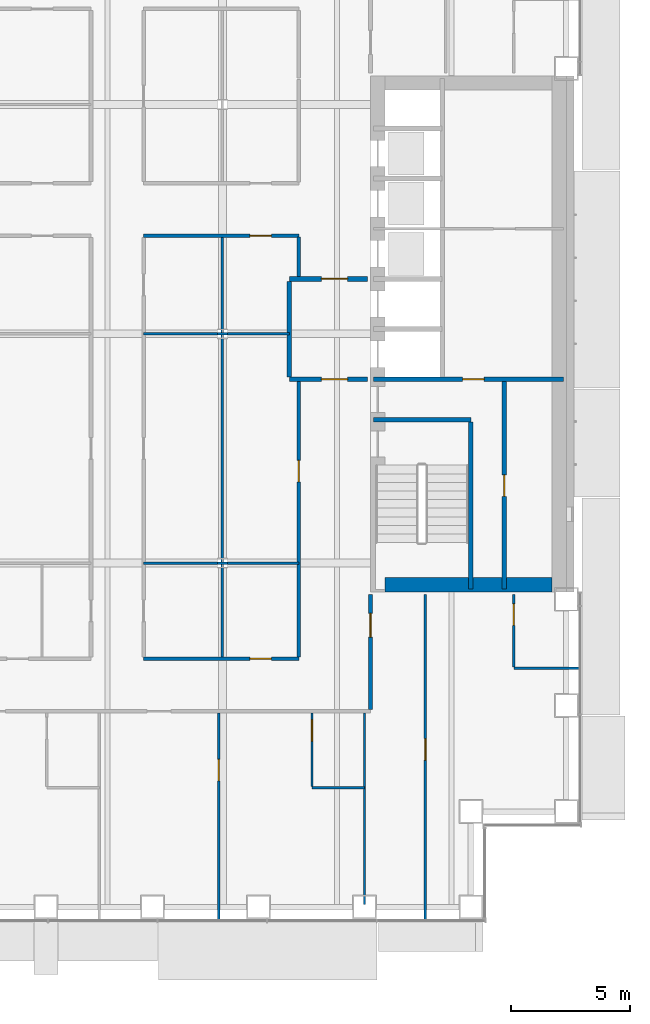
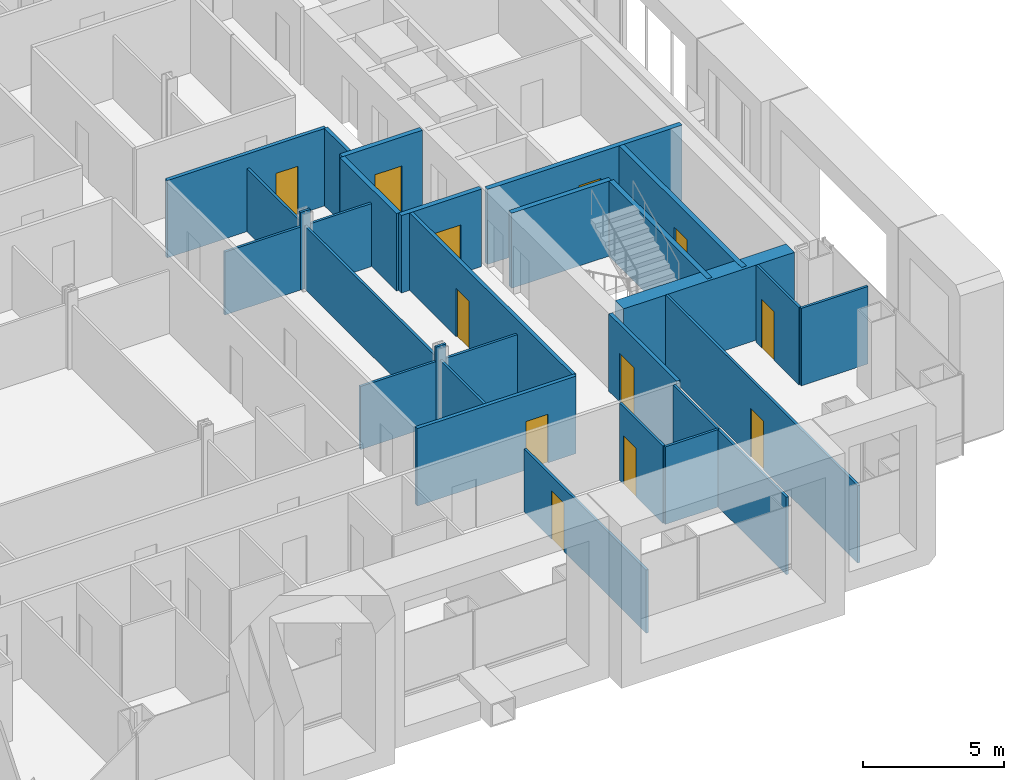
# One storey, part 16 of 25: 29 walls, 12 doors, 12 openings.
"""IFC4 building model written with IfcOpenShell, lengths in metres."""

import ifcopenshell
import ifcopenshell.guid

model = None  # the IFC model being written
_history = None  # IfcOwnerHistory: only IFC2X3 demands one
_inside = {}  # id of a spatial element -> (the spatial element, [elements in it])
_under = {}  # id of a project, library or spatial element -> (it, [spatial elements below it])
_declared = {}  # id of a project -> (the project, [libraries it declares])
_typed = {}  # id of a type object -> (the type object, [elements of that type])
_made_of = {}  # id of a material, layer set ... -> (it, [elements and type objects made of it])


def new_model(schema):
    """Start an empty IFC model of exactly this schema.

    Asked for "IFC4X3", IfcOpenShell would pick the latest addendum, in which some entities
    have other attributes; the version numbers below select the first issue.
    IFC2X3 requires an IfcOwnerHistory on every rooted entity: one is made here for all.
    """
    global model, _history
    if schema == "IFC4X3":
        model = ifcopenshell.file(schema_version=(4, 3, 0, 0))
    else:
        model = ifcopenshell.file(schema=schema)
    _inside.clear()
    _under.clear()
    _declared.clear()
    _typed.clear()
    _made_of.clear()
    _history = None
    if model.schema == "IFC2X3":
        org = make("IfcOrganization", Name="unknown")
        user = make(
            "IfcPersonAndOrganization",
            ThePerson=make("IfcPerson", FamilyName="unknown"),
            TheOrganization=org,
        )
        app = make(
            "IfcApplication",
            ApplicationDeveloper=org,
            Version="unknown",
            ApplicationFullName="unknown",
            ApplicationIdentifier="unknown",
        )
        _history = make(
            "IfcOwnerHistory",
            OwningUser=user,
            OwningApplication=app,
            ChangeAction="ADDED",
            CreationDate=0,
        )
    return model


def make(cls, **values):
    """One entity of the class cls with the attributes given. An attribute that is None is left unset."""
    return model.create_entity(
        cls, **{name: value for name, value in values.items() if value is not None}
    )


def rooted(cls, **values):
    """An entity with a GlobalId (a new one), such as an element, a storey or a relation."""
    return make(cls, GlobalId=ifcopenshell.guid.new(), OwnerHistory=_history, **values)


def si_unit(unit_type, name, prefix=None):
    """IfcSIUnit, for example si_unit("LENGTHUNIT", "METRE", prefix="MILLI")."""
    return make("IfcSIUnit", UnitType=unit_type, Prefix=prefix, Name=name)


def assignment(units):
    """IfcUnitAssignment: the units of a project."""
    return None if units is None else make("IfcUnitAssignment", Units=units)


def point(xyz):
    """IfcCartesianPoint."""
    return None if xyz is None else make("IfcCartesianPoint", Coordinates=xyz)


def direction(xyz):
    """IfcDirection."""
    return None if xyz is None else make("IfcDirection", DirectionRatios=xyz)


def frame(location, z_axis=None, x_axis=None):
    """IfcAxis2Placement3D, a coordinate frame: its origin and axes. An axis left out is left unset."""
    return make(
        "IfcAxis2Placement3D",
        Location=point(location),
        Axis=direction(z_axis),
        RefDirection=direction(x_axis),
    )


def frame_2d(location, x_axis=None):
    """IfcAxis2Placement2D, a coordinate frame in the plane: its origin and x axis."""
    return make(
        "IfcAxis2Placement2D", Location=point(location), RefDirection=direction(x_axis)
    )


def origin():
    """The frame at (0, 0, 0) with its axes left unset."""
    return frame((0.0, 0.0, 0.0))


def place(relative_to, where):
    """IfcLocalPlacement: puts the frame where relative to a parent placement (None: the world)."""
    return make(
        "IfcLocalPlacement", PlacementRelTo=relative_to, RelativePlacement=where
    )


def context(
    kind, dimensions, precision=None, world=None, true_north=None, identifier=None
):
    """IfcGeometricRepresentationContext, for example the 3D "Model" context."""
    return make(
        "IfcGeometricRepresentationContext",
        ContextIdentifier=identifier,
        ContextType=kind,
        CoordinateSpaceDimension=dimensions,
        Precision=precision,
        WorldCoordinateSystem=world,
        TrueNorth=true_north,
    )


def subcontext(parent, identifier, kind, view, scale=None):
    """IfcGeometricRepresentationSubContext, for example "Body" below "Model"."""
    return make(
        "IfcGeometricRepresentationSubContext",
        ContextIdentifier=identifier,
        ContextType=kind,
        ParentContext=parent,
        TargetScale=scale,
        TargetView=view,
    )


def project(units=None, contexts=None):
    """IfcProject with its units and contexts."""
    return rooted(
        "IfcProject",
        Name="project",
        RepresentationContexts=contexts,
        UnitsInContext=assignment(units),
    )


def spatial(cls, under=None, at=None, **own):
    """A site, building, storey or space (cls), placed at a placement, below another one or the project."""
    s = rooted(cls, ObjectPlacement=at, **own)
    if under is not None:
        _under.setdefault(under.id(), (under, []))[1].append(s)
    return s


def profile(cls, at=None, kind="AREA", **sizes):
    """A parametric profile (cls). Its sizes go by their IFC names, for example OverallWidth=200.0."""
    return make(cls, ProfileType=kind, Position=at, **sizes)


def rectangle(**sizes):
    """IfcRectangleProfileDef."""
    return profile("IfcRectangleProfileDef", **sizes)


def extrude(swept, where, along, depth):
    """IfcExtrudedAreaSolid: the profile swept, set in the frame where, extruded along a direction by depth."""
    return make(
        "IfcExtrudedAreaSolid",
        SweptArea=swept,
        Position=where,
        ExtrudedDirection=direction(along),
        Depth=depth,
    )


def shape(context_of_items, identifier, shape_type, items):
    """IfcShapeRepresentation: the items that make up one representation, for example the "Body"."""
    return make(
        "IfcShapeRepresentation",
        ContextOfItems=context_of_items,
        RepresentationIdentifier=identifier,
        RepresentationType=shape_type,
        Items=items,
    )


def material(Name=None, Category=None):
    """IfcMaterial."""
    return make("IfcMaterial", Name=Name, Category=Category)


def layer(
    of_material, thickness, ventilated=None, Name=None, Category=None, Priority=None
):
    """IfcMaterialLayer: one layer of a wall or slab, of a material (None: an air gap)."""
    return make(
        "IfcMaterialLayer",
        Material=of_material,
        LayerThickness=thickness,
        IsVentilated=ventilated,
        Name=Name,
        Category=Category,
        Priority=Priority,
    )


def layer_set(layers, Name=None):
    """IfcMaterialLayerSet."""
    return make("IfcMaterialLayerSet", MaterialLayers=layers, LayerSetName=Name)


def made_of(thing, what):
    """Note that an element or type object is made of a material, layer set ...; save() writes the relation."""
    if what is not None:
        _made_of.setdefault(what.id(), (what, []))[1].append(thing)
    return thing


def type_object(cls, material=None, **own):
    """A type object (cls), such as IfcWallType, which elements share."""
    return made_of(rooted(cls, **own), material)


def element(
    cls,
    number,
    at=None,
    inside=None,
    cuts=None,
    type_object=None,
    material=None,
    context=None,
    identifier="Body",
    shape_type=None,
    held_by="IfcProductDefinitionShape",
    body=None,
    shapes=None,
    **own,
):
    """One element of the class cls, such as IfcWall. Its Tag is "e" and its number.

    at: its placement. inside: the storey or other place that contains it. cuts: it is an
    opening in that element (IfcRelVoidsElement). A single representation is given by context,
    identifier, shape_type and body (its items); several are given by shapes. held_by: the class
    of the entity that holds the representations. save() writes the other relations.
    """
    e = rooted(cls, Tag="e%d" % number, ObjectPlacement=at, **own)
    if body is not None:
        shapes = [shape(context, identifier, shape_type, body)]
    if shapes is not None:
        e.Representation = make(held_by, Representations=shapes)
    if inside is not None:
        _inside.setdefault(inside.id(), (inside, []))[1].append(e)
    if cuts is not None:
        rooted(
            "IfcRelVoidsElement", RelatingBuildingElement=cuts, RelatedOpeningElement=e
        )
    if type_object is not None:
        _typed.setdefault(type_object.id(), (type_object, []))[1].append(e)
    return made_of(e, material)


def fill(opening, filler):
    """IfcRelFillsElement: the door or window that sits in an opening."""
    return rooted(
        "IfcRelFillsElement",
        RelatingOpeningElement=opening,
        RelatedBuildingElement=filler,
    )


def aggregate(whole, parts):
    """IfcRelAggregates: a whole, such as a stair, and the parts it consists of."""
    return rooted("IfcRelAggregates", RelatingObject=whole, RelatedObjects=parts)


def save(model, path):
    """Write the relations noted so far, then the file.

    IfcRelAggregates (storeys below a building ...), IfcRelContainedInSpatialStructure (elements
    in a storey), IfcRelDefinesByType, IfcRelAssociatesMaterial and IfcRelDeclares: one each for
    every whole, place, type object, material and project.
    """
    for whole, parts in _under.values():
        aggregate(whole, parts)
    for where, things in _inside.values():
        rooted(
            "IfcRelContainedInSpatialStructure",
            RelatedElements=things,
            RelatingStructure=where,
        )
    for kind, things in _typed.values():
        rooted("IfcRelDefinesByType", RelatedObjects=things, RelatingType=kind)
    for what, things in _made_of.values():
        rooted("IfcRelAssociatesMaterial", RelatedObjects=things, RelatingMaterial=what)
    for by, libraries in _declared.values():
        rooted("IfcRelDeclares", RelatingContext=by, RelatedDefinitions=libraries)
    model.write(path)


model = new_model("IFC4")

# Units and contexts
model_context = context("Model", 3, precision=1e-05, world=origin(), true_north=direction((0.0, 1.0)))
body_context = subcontext(model_context, "Body", "Model", "MODEL_VIEW")
ifc_project = project(units=[si_unit("LENGTHUNIT", "METRE"), si_unit("AREAUNIT", "SQUARE_METRE"), si_unit("VOLUMEUNIT", "CUBIC_METRE"), si_unit("PLANEANGLEUNIT", "RADIAN"), si_unit("MASSUNIT", "GRAM", prefix="KILO")], contexts=[model_context])

# Site, building, storey
site_placement = place(None, origin())
site = spatial("IfcSite", under=ifc_project, at=site_placement, CompositionType="ELEMENT")
building_placement = place(site_placement, origin())
building = spatial("IfcBuilding", under=site, at=building_placement, Name="Cobrizo Arcos Hotel Tower", CompositionType="ELEMENT")
storey_placement = place(building_placement, frame((0.0, 0.0, 53.0)))
storey = spatial("IfcBuildingStorey", under=building, at=storey_placement, Name="L11", CompositionType="ELEMENT", Elevation=53.0)

# Wall, opening, door
ifc_material_1 = material(Name="Gypsum board partition")
ifc_layer_1 = layer(ifc_material_1, 0.14990234375)
ifc_layer_set_1 = layer_set([ifc_layer_1], Name="Corridor wall EI 60 150")
wall_type_1 = type_object("IfcWallType", Name="Corridor wall EI 60 150", PredefinedType="PARTITIONING", material=ifc_layer_set_1)
wall_1_placement = place(storey_placement, frame((6.300048828125, -13.60009765625, 0.0), z_axis=(0.0, 0.0, 1.0), x_axis=(1.0, 0.0, 0.0)))
wall_1 = element("IfcWall", 1, at=wall_1_placement, inside=storey, type_object=wall_type_1, Name="Partition 010", PredefinedType="PARTITIONING", context=body_context, shape_type="SweptSolid", body=[
    extrude(rectangle(XDim=6.5, YDim=0.14990234375, at=frame_2d((3.25, 0.0))), origin(), (0.0, 0.0, 1.0), 3.35009765625),
])
opening_1_placement = place(wall_1_placement, frame((4.449951171875, 0.0, 0.0)))
opening_1 = element("IfcOpeningElement", 2, at=opening_1_placement, cuts=wall_1, Name="Opening RD-15", PredefinedType="OPENING", context=body_context, shape_type="SweptSolid", body=[
    extrude(rectangle(XDim=0.89990234375, YDim=2.10009765625, at=frame_2d((0.449951171875, 1.050048828125))), frame((0.0, 0.0869140625, 0.0), z_axis=(0.0, -1.0, 0.0), x_axis=(1.0, 0.0, 0.0)), (0.0, 0.0, 1.0), 0.173828125),
])
ifc_material_2 = material(Name="Timber door leaf", Category="wood")
door_type_1 = type_object("IfcDoorType", Name="Room door FD30 900x2100", OperationType="SINGLE_SWING_LEFT", PredefinedType="DOOR", material=ifc_material_2)
door_1_placement = place(opening_1_placement, origin())
door_1 = element("IfcDoor", 3, at=door_1_placement, inside=storey, type_object=door_type_1, Name="Door RD-15", OperationType="SINGLE_SWING_RIGHT", OverallHeight=2.10009765625, OverallWidth=0.89990234375, PredefinedType="DOOR", context=body_context, shape_type="SweptSolid", body=[
    extrude(rectangle(XDim=0.89990234375, YDim=2.10009765625, at=frame_2d((0.449951171875, 1.050048828125))), frame((0.0, 0.02490234375, 0.0), z_axis=(0.0, -1.0, 0.0), x_axis=(1.0, 0.0, 0.0)), (0.0, 0.0, 1.0), 0.050048828125),
])
fill(opening_1, door_1)

wall_2_placement = place(storey_placement, frame((6.300048828125, 4.10009765625, 0.0), z_axis=(0.0, 0.0, 1.0), x_axis=(1.0, 0.0, 0.0)))
wall_2 = element("IfcWall", 4, at=wall_2_placement, inside=storey, type_object=wall_type_1, Name="Partition 040", PredefinedType="PARTITIONING", context=body_context, shape_type="SweptSolid", body=[
    extrude(rectangle(XDim=6.5, YDim=0.14990234375, at=frame_2d((3.25, 0.0))), origin(), (0.0, 0.0, 1.0), 3.35009765625),
])
opening_2_placement = place(wall_2_placement, frame((4.449951171875, 0.0, 0.0)))
opening_2 = element("IfcOpeningElement", 5, at=opening_2_placement, cuts=wall_2, Name="Opening RD-14", PredefinedType="OPENING", context=body_context, shape_type="SweptSolid", body=[
    extrude(rectangle(XDim=0.89990234375, YDim=2.10009765625, at=frame_2d((0.449951171875, 1.050048828125))), frame((0.0, 0.0869140625, 0.0), z_axis=(0.0, -1.0, 0.0), x_axis=(1.0, 0.0, 0.0)), (0.0, 0.0, 1.0), 0.173828125),
])
door_2_placement = place(opening_2_placement, origin())
door_2 = element("IfcDoor", 6, at=door_2_placement, inside=storey, type_object=door_type_1, Name="Door RD-14", OperationType="SINGLE_SWING_RIGHT", OverallHeight=2.10009765625, OverallWidth=0.89990234375, PredefinedType="DOOR", context=body_context, shape_type="SweptSolid", body=[
    extrude(rectangle(XDim=0.89990234375, YDim=2.10009765625, at=frame_2d((0.449951171875, 1.050048828125))), frame((0.0, 0.02490234375, 0.0), z_axis=(0.0, -1.0, 0.0), x_axis=(1.0, 0.0, 0.0)), (0.0, 0.0, 1.0), 0.050048828125),
])
fill(opening_2, door_2)

wall_3_placement = place(storey_placement, frame((12.800048828125, -13.52490234375, 0.0), z_axis=(0.0, 0.0, 1.0), x_axis=(0.0, 1.0, 0.0)))
wall_3 = element("IfcWall", 7, at=wall_3_placement, inside=storey, type_object=wall_type_1, Name="Partition 122", PredefinedType="PARTITIONING", context=body_context, shape_type="SweptSolid", body=[
    extrude(rectangle(XDim=11.52490234375, YDim=0.14990234375, at=frame_2d((5.762451171875, 0.0))), origin(), (0.0, 0.0, 1.0), 3.35009765625),
])
opening_3_placement = place(wall_3_placement, frame((7.324951171875, 0.0, 0.0)))
opening_3 = element("IfcOpeningElement", 8, at=opening_3_placement, cuts=wall_3, Name="Opening RD-25", PredefinedType="OPENING", context=body_context, shape_type="SweptSolid", body=[
    extrude(rectangle(XDim=0.89990234375, YDim=2.10009765625, at=frame_2d((0.449951171875, 1.050048828125))), frame((0.0, 0.0869140625, 0.0), z_axis=(0.0, -1.0, 0.0), x_axis=(1.0, 0.0, 0.0)), (0.0, 0.0, 1.0), 0.173828125),
])
door_3_placement = place(opening_3_placement, origin())
door_3 = element("IfcDoor", 9, at=door_3_placement, inside=storey, type_object=door_type_1, Name="Door RD-25", OperationType="SINGLE_SWING_LEFT", OverallHeight=2.10009765625, OverallWidth=0.89990234375, PredefinedType="DOOR", context=body_context, shape_type="SweptSolid", body=[
    extrude(rectangle(XDim=0.89990234375, YDim=2.10009765625, at=frame_2d((0.449951171875, 1.050048828125))), frame((0.0, 0.02490234375, 0.0), z_axis=(0.0, -1.0, 0.0), x_axis=(1.0, 0.0, 0.0)), (0.0, 0.0, 1.0), 0.050048828125),
])
fill(opening_3, door_3)

# Wall
wall_4_placement = place(storey_placement, frame((12.800048828125, 2.39990234375, 0.0), z_axis=(0.0, 0.0, 1.0), x_axis=(0.0, 1.0, 0.0)))
element("IfcWall", 10, at=wall_4_placement, inside=storey, type_object=wall_type_1, Name="Partition 123", PredefinedType="PARTITIONING", context=body_context, shape_type="SweptSolid", body=[
    extrude(rectangle(XDim=1.650146484375, YDim=0.14990234375, at=frame_2d((0.8251953125, 0.0))), origin(), (0.0, 0.0, 1.0), 3.35009765625),
])

# Wall, opening, door
wall_5_placement = place(storey_placement, frame((15.800048828125, -15.72509765625, 0.0), z_axis=(0.0, 0.0, 1.0), x_axis=(0.0, 1.0, 0.0)))
wall_5 = element("IfcWall", 11, at=wall_5_placement, inside=storey, type_object=wall_type_1, Name="Partition 130", PredefinedType="PARTITIONING", context=body_context, shape_type="SweptSolid", body=[
    extrude(rectangle(XDim=4.80517578125, YDim=0.14990234375, at=frame_2d((2.402587890625, 0.0))), origin(), (0.0, 0.0, 1.0), 3.35009765625),
])
opening_4_placement = place(wall_5_placement, frame((3.02490234375, 0.0, 0.0)))
opening_4 = element("IfcOpeningElement", 12, at=opening_4_placement, cuts=wall_5, Name="Opening GD-14", PredefinedType="OPENING", context=body_context, shape_type="SweptSolid", body=[
    extrude(rectangle(XDim=1.0, YDim=2.10009765625, at=frame_2d((0.5, 1.050048828125))), frame((0.0, 0.0869140625, 0.0), z_axis=(0.0, -1.0, 0.0), x_axis=(1.0, 0.0, 0.0)), (0.0, 0.0, 1.0), 0.173828125),
])
door_type_2 = type_object("IfcDoorType", Name="Guest room door FD30S 1000x2100", OperationType="SINGLE_SWING_LEFT", PredefinedType="DOOR", material=ifc_material_2)
door_4_placement = place(opening_4_placement, origin())
door_4 = element("IfcDoor", 13, at=door_4_placement, inside=storey, type_object=door_type_2, Name="Door GD-14", OperationType="SINGLE_SWING_LEFT", OverallHeight=2.10009765625, OverallWidth=1.0, PredefinedType="DOOR", context=body_context, shape_type="SweptSolid", body=[
    extrude(rectangle(XDim=1.0, YDim=2.10009765625, at=frame_2d((0.5, 1.050048828125))), frame((0.0, 0.02490234375, 0.0), z_axis=(0.0, -1.0, 0.0), x_axis=(1.0, 0.0, 0.0)), (0.0, 0.0, 1.0), 0.050048828125),
])
fill(opening_4, door_4)

# Walls
ifc_layer_2 = layer(ifc_material_1, 0.10009765625)
ifc_layer_set_2 = layer_set([ifc_layer_2], Name="Partition EI 30 100")
wall_type_2 = type_object("IfcWallType", Name="Partition EI 30 100", PredefinedType="PARTITIONING", material=ifc_layer_set_2)
wall_6_placement = place(storey_placement, frame((13.35009765625, -19.0, 0.0), z_axis=(0.0, 0.0, 1.0), x_axis=(1.0, 0.0, 0.0)))
element("IfcWall", 14, at=wall_6_placement, inside=storey, type_object=wall_type_2, Name="Partition 005", PredefinedType="PARTITIONING", context=body_context, shape_type="SweptSolid", body=[
    extrude(rectangle(XDim=2.199951171875, YDim=0.10009765625, at=frame_2d((1.10009765625, 0.0))), origin(), (0.0, 0.0, 1.0), 3.35009765625),
])
wall_7_placement = place(storey_placement, frame((21.800048828125, -14.0, 0.0), z_axis=(0.0, 0.0, 1.0), x_axis=(1.0, 0.0, 0.0)))
element("IfcWall", 15, at=wall_7_placement, inside=storey, type_object=wall_type_2, Name="Partition 008", PredefinedType="PARTITIONING", context=body_context, shape_type="SweptSolid", body=[
    extrude(rectangle(XDim=2.72998046875, YDim=0.10009765625, at=frame_2d((1.364990234375, 0.0))), origin(), (0.0, 0.0, 1.0), 3.35009765625),
])
wall_8_placement = place(storey_placement, frame((6.300048828125, -9.60009765625, 0.0), z_axis=(0.0, 0.0, 1.0), x_axis=(1.0, 0.0, 0.0)))
element("IfcWall", 16, at=wall_8_placement, inside=storey, type_object=wall_type_2, Name="Partition 016", PredefinedType="PARTITIONING", context=body_context, shape_type="SweptSolid", body=[
    extrude(rectangle(XDim=3.095947265625, YDim=0.10009765625, at=frame_2d((1.5478515625, 0.0))), origin(), (0.0, 0.0, 1.0), 2.72802734375),
])
wall_9_placement = place(storey_placement, frame((9.39599609375, -9.60009765625, 0.0), z_axis=(0.0, 0.0, 1.0), x_axis=(1.0, 0.0, 0.0)))
element("IfcWall", 17, at=wall_9_placement, inside=storey, type_object=wall_type_2, Name="Partition 017", PredefinedType="PARTITIONING", context=body_context, shape_type="SweptSolid", body=[
    extrude(rectangle(XDim=0.407958984375, YDim=0.10009765625, at=frame_2d((0.2041015625, 0.0))), origin(), (0.0, 0.0, 1.0), 3.35009765625),
])
wall_10_placement = place(storey_placement, frame((9.803955078125, -9.60009765625, 0.0), z_axis=(0.0, 0.0, 1.0), x_axis=(1.0, 0.0, 0.0)))
element("IfcWall", 18, at=wall_10_placement, inside=storey, type_object=wall_type_2, Name="Partition 018", PredefinedType="PARTITIONING", context=body_context, shape_type="SweptSolid", body=[
    extrude(rectangle(XDim=2.99609375, YDim=0.10009765625, at=frame_2d((1.498046875, 0.0))), origin(), (0.0, 0.0, 1.0), 2.72802734375),
])
wall_11_placement = place(storey_placement, frame((6.300048828125, 0.0, 0.0), z_axis=(0.0, 0.0, 1.0), x_axis=(1.0, 0.0, 0.0)))
element("IfcWall", 19, at=wall_11_placement, inside=storey, type_object=wall_type_2, Name="Partition 030", PredefinedType="PARTITIONING", context=body_context, shape_type="SweptSolid", body=[
    extrude(rectangle(XDim=3.095947265625, YDim=0.10009765625, at=frame_2d((1.5478515625, 0.0))), origin(), (0.0, 0.0, 1.0), 2.72802734375),
])
wall_12_placement = place(storey_placement, frame((9.39599609375, 0.0, 0.0), z_axis=(0.0, 0.0, 1.0), x_axis=(1.0, 0.0, 0.0)))
element("IfcWall", 20, at=wall_12_placement, inside=storey, type_object=wall_type_2, Name="Partition 031", PredefinedType="PARTITIONING", context=body_context, shape_type="SweptSolid", body=[
    extrude(rectangle(XDim=0.407958984375, YDim=0.10009765625, at=frame_2d((0.2041015625, 0.0))), origin(), (0.0, 0.0, 1.0), 3.35009765625),
])
wall_13_placement = place(storey_placement, frame((9.803955078125, 0.0, 0.0), z_axis=(0.0, 0.0, 1.0), x_axis=(1.0, 0.0, 0.0)))
element("IfcWall", 21, at=wall_13_placement, inside=storey, type_object=wall_type_2, Name="Partition 032", PredefinedType="PARTITIONING", context=body_context, shape_type="SweptSolid", body=[
    extrude(rectangle(XDim=2.595947265625, YDim=0.10009765625, at=frame_2d((1.2978515625, 0.0))), origin(), (0.0, 0.0, 1.0), 2.72802734375),
])

# Wall, opening, door
wall_14_placement = place(storey_placement, frame((9.449951171875, -24.530029296875, 0.0), z_axis=(0.0, 0.0, 1.0), x_axis=(0.0, 1.0, 0.0)))
wall_14 = element("IfcWall", 22, at=wall_14_placement, inside=storey, type_object=wall_type_2, Name="Partition 113", PredefinedType="PARTITIONING", context=body_context, shape_type="SweptSolid", body=[
    extrude(rectangle(XDim=8.655029296875, YDim=0.10009765625, at=frame_2d((4.32763671875, 0.0))), origin(), (0.0, 0.0, 1.0), 2.72802734375),
])
opening_5_placement = place(wall_14_placement, frame((5.820068359375, 0.0, 0.0)))
opening_5 = element("IfcOpeningElement", 23, at=opening_5_placement, cuts=wall_14, Name="Opening RD-07", PredefinedType="OPENING", context=body_context, shape_type="SweptSolid", body=[
    extrude(rectangle(XDim=0.89990234375, YDim=2.10009765625, at=frame_2d((0.449951171875, 1.050048828125))), frame((0.0, 0.06201171875, 0.0), z_axis=(0.0, -1.0, 0.0), x_axis=(1.0, 0.0, 0.0)), (0.0, 0.0, 1.0), 0.1240234375),
])
door_5_placement = place(opening_5_placement, origin())
door_5 = element("IfcDoor", 24, at=door_5_placement, inside=storey, type_object=door_type_1, Name="Door RD-07", OperationType="SINGLE_SWING_LEFT", OverallHeight=2.10009765625, OverallWidth=0.89990234375, PredefinedType="DOOR", context=body_context, shape_type="SweptSolid", body=[
    extrude(rectangle(XDim=0.89990234375, YDim=2.10009765625, at=frame_2d((0.449951171875, 1.050048828125))), frame((0.0, 0.02490234375, 0.0), z_axis=(0.0, -1.0, 0.0), x_axis=(1.0, 0.0, 0.0)), (0.0, 0.0, 1.0), 0.050048828125),
])
fill(opening_5, door_5)

# Walls
wall_15_placement = place(storey_placement, frame((9.60009765625, -13.52490234375, 0.0), z_axis=(0.0, 0.0, 1.0), x_axis=(0.0, 1.0, 0.0)))
element("IfcWall", 25, at=wall_15_placement, inside=storey, type_object=wall_type_2, Name="Partition 114", PredefinedType="PARTITIONING", context=body_context, shape_type="SweptSolid", body=[
    extrude(rectangle(XDim=3.875, YDim=0.10009765625, at=frame_2d((1.9375, 0.0))), origin(), (0.0, 0.0, 1.0), 2.72802734375),
])
wall_16_placement = place(storey_placement, frame((9.60009765625, -9.550048828125, 0.0), z_axis=(0.0, 0.0, 1.0), x_axis=(0.0, 1.0, 0.0)))
element("IfcWall", 26, at=wall_16_placement, inside=storey, type_object=wall_type_2, Name="Partition 115", PredefinedType="PARTITIONING", context=body_context, shape_type="SweptSolid", body=[
    extrude(rectangle(XDim=9.5, YDim=0.10009765625, at=frame_2d((4.75, 0.0))), origin(), (0.0, 0.0, 1.0), 2.72802734375),
])
wall_17_placement = place(storey_placement, frame((9.60009765625, 0.050048828125, 0.0), z_axis=(0.0, 0.0, 1.0), x_axis=(0.0, 1.0, 0.0)))
element("IfcWall", 27, at=wall_17_placement, inside=storey, type_object=wall_type_2, Name="Partition 116", PredefinedType="PARTITIONING", context=body_context, shape_type="SweptSolid", body=[
    extrude(rectangle(XDim=3.974853515625, YDim=0.10009765625, at=frame_2d((1.9873046875, 0.0))), origin(), (0.0, 0.0, 1.0), 2.72802734375),
])

# Wall, opening, door
wall_18_placement = place(storey_placement, frame((13.35009765625, -18.949951171875, 0.0), z_axis=(0.0, 0.0, 1.0), x_axis=(0.0, 1.0, 0.0)))
wall_18 = element("IfcWall", 28, at=wall_18_placement, inside=storey, type_object=wall_type_2, Name="Partition 127", PredefinedType="PARTITIONING", context=body_context, shape_type="SweptSolid", body=[
    extrude(rectangle(XDim=3.074951171875, YDim=0.10009765625, at=frame_2d((1.53759765625, 0.0))), origin(), (0.0, 0.0, 1.0), 3.35009765625),
])
opening_6_placement = place(wall_18_placement, frame((1.89990234375, 0.0, 0.0)))
opening_6 = element("IfcOpeningElement", 29, at=opening_6_placement, cuts=wall_18, Name="Opening ED-11", PredefinedType="OPENING", context=body_context, shape_type="SweptSolid", body=[
    extrude(rectangle(XDim=0.89990234375, YDim=2.10009765625, at=frame_2d((0.449951171875, 1.050048828125))), frame((0.0, 0.06201171875, 0.0), z_axis=(0.0, -1.0, 0.0), x_axis=(1.0, 0.0, 0.0)), (0.0, 0.0, 1.0), 0.1240234375),
])
door_type_3 = type_object("IfcDoorType", Name="En-suite door 900x2100", OperationType="SINGLE_SWING_LEFT", PredefinedType="DOOR", material=ifc_material_2)
door_6_placement = place(opening_6_placement, origin())
door_6 = element("IfcDoor", 30, at=door_6_placement, inside=storey, type_object=door_type_3, Name="Door ED-11", OperationType="SINGLE_SWING_LEFT", OverallHeight=2.10009765625, OverallWidth=0.89990234375, PredefinedType="DOOR", context=body_context, shape_type="SweptSolid", body=[
    extrude(rectangle(XDim=0.89990234375, YDim=2.10009765625, at=frame_2d((0.449951171875, 1.050048828125))), frame((0.0, 0.02490234375, 0.0), z_axis=(0.0, -1.0, 0.0), x_axis=(1.0, 0.0, 0.0)), (0.0, 0.0, 1.0), 0.050048828125),
])
fill(opening_6, door_6)

# Wall
wall_19_placement = place(storey_placement, frame((15.550048828125, -23.8798828125, 0.0), z_axis=(0.0, 0.0, 1.0), x_axis=(0.0, 1.0, 0.0)))
element("IfcWall", 31, at=wall_19_placement, inside=storey, type_object=wall_type_2, Name="Partition 128", PredefinedType="PARTITIONING", context=body_context, shape_type="SweptSolid", body=[
    extrude(rectangle(XDim=8.0048828125, YDim=0.10009765625, at=frame_2d((4.00244140625, 0.0))), origin(), (0.0, 0.0, 1.0), 3.35009765625),
])

# Wall, opening, door
wall_20_placement = place(storey_placement, frame((18.10009765625, -24.530029296875, 0.0), z_axis=(0.0, 0.0, 1.0), x_axis=(0.0, 1.0, 0.0)))
wall_20 = element("IfcWall", 32, at=wall_20_placement, inside=storey, type_object=wall_type_2, Name="Partition 132", PredefinedType="PARTITIONING", context=body_context, shape_type="SweptSolid", body=[
    extrude(rectangle(XDim=13.610107421875, YDim=0.10009765625, at=frame_2d((6.80517578125, 0.0))), origin(), (0.0, 0.0, 1.0), 3.35009765625),
])
opening_7_placement = place(wall_20_placement, frame((6.679931640625, 0.0, 0.0)))
opening_7 = element("IfcOpeningElement", 33, at=opening_7_placement, cuts=wall_20, Name="Opening RD-10", PredefinedType="OPENING", context=body_context, shape_type="SweptSolid", body=[
    extrude(rectangle(XDim=0.89990234375, YDim=2.10009765625, at=frame_2d((0.449951171875, 1.050048828125))), frame((0.0, 0.06201171875, 0.0), z_axis=(0.0, -1.0, 0.0), x_axis=(1.0, 0.0, 0.0)), (0.0, 0.0, 1.0), 0.1240234375),
])
door_7_placement = place(opening_7_placement, origin())
door_7 = element("IfcDoor", 34, at=door_7_placement, inside=storey, type_object=door_type_1, Name="Door RD-10", OperationType="SINGLE_SWING_LEFT", OverallHeight=2.10009765625, OverallWidth=0.89990234375, PredefinedType="DOOR", context=body_context, shape_type="SweptSolid", body=[
    extrude(rectangle(XDim=0.89990234375, YDim=2.10009765625, at=frame_2d((0.449951171875, 1.050048828125))), frame((0.0, 0.02490234375, 0.0), z_axis=(0.0, -1.0, 0.0), x_axis=(1.0, 0.0, 0.0)), (0.0, 0.0, 1.0), 0.050048828125),
])
fill(opening_7, door_7)

wall_21_placement = place(storey_placement, frame((21.800048828125, -13.949951171875, 0.0), z_axis=(0.0, 0.0, 1.0), x_axis=(0.0, 1.0, 0.0)))
wall_21 = element("IfcWall", 35, at=wall_21_placement, inside=storey, type_object=wall_type_2, Name="Partition 138", PredefinedType="PARTITIONING", context=body_context, shape_type="SweptSolid", body=[
    extrude(rectangle(XDim=3.030029296875, YDim=0.10009765625, at=frame_2d((1.51513671875, 0.0))), origin(), (0.0, 0.0, 1.0), 3.35009765625),
])
opening_8_placement = place(wall_21_placement, frame((1.739990234375, 0.0, 0.0)))
opening_8 = element("IfcOpeningElement", 36, at=opening_8_placement, cuts=wall_21, Name="Opening ED-14", PredefinedType="OPENING", context=body_context, shape_type="SweptSolid", body=[
    extrude(rectangle(XDim=0.89990234375, YDim=2.10009765625, at=frame_2d((0.449951171875, 1.050048828125))), frame((0.0, 0.06201171875, 0.0), z_axis=(0.0, -1.0, 0.0), x_axis=(1.0, 0.0, 0.0)), (0.0, 0.0, 1.0), 0.1240234375),
])
door_8_placement = place(opening_8_placement, origin())
door_8 = element("IfcDoor", 37, at=door_8_placement, inside=storey, type_object=door_type_3, Name="Door ED-14", OperationType="SINGLE_SWING_LEFT", OverallHeight=2.10009765625, OverallWidth=0.89990234375, PredefinedType="DOOR", context=body_context, shape_type="SweptSolid", body=[
    extrude(rectangle(XDim=0.89990234375, YDim=2.10009765625, at=frame_2d((0.449951171875, 1.050048828125))), frame((0.0, 0.02490234375, 0.0), z_axis=(0.0, -1.0, 0.0), x_axis=(1.0, 0.0, 0.0)), (0.0, 0.0, 1.0), 0.050048828125),
])
fill(opening_8, door_8)

# Wall
ifc_material_3 = material(Name="Concrete f'c 60 MPa", Category="concrete")
ifc_layer_3 = layer(ifc_material_3, 0.60009765625)
ifc_layer_set_3 = layer_set([ifc_layer_3], Name="RC core wall 600 f'c 60")
wall_type_3 = type_object("IfcWallType", Name="RC core wall 600 f'c 60", PredefinedType="SHEAR", material=ifc_layer_set_3)
wall_22_placement = place(storey_placement, frame((16.39990234375, -10.5, 0.0), z_axis=(0.0, 0.0, 1.0), x_axis=(1.0, 0.0, 0.0)))
element("IfcWall", 38, at=wall_22_placement, inside=storey, type_object=wall_type_3, Name="Core wall CW1, east core, south end, L11", PredefinedType="SHEAR", context=body_context, shape_type="SweptSolid", body=[
    extrude(rectangle(XDim=7.0, YDim=0.60009765625, at=frame_2d((3.5, 0.0))), origin(), (0.0, 0.0, 1.0), 3.25),
])

# Wall, opening, door
ifc_layer_4 = layer(ifc_material_1, 0.199951171875)
ifc_layer_set_4 = layer_set([ifc_layer_4], Name="Shaft wall EI 120 200")
wall_type_4 = type_object("IfcWallType", Name="Shaft wall EI 120 200", PredefinedType="PARTITIONING", material=ifc_layer_set_4)
wall_23_placement = place(storey_placement, frame((12.39990234375, -1.89990234375, 0.0), z_axis=(0.0, 0.0, 1.0), x_axis=(1.0, 0.0, 0.0)))
wall_23 = element("IfcWall", 39, at=wall_23_placement, inside=storey, type_object=wall_type_4, Name="Partition 023", PredefinedType="PARTITIONING", context=body_context, shape_type="SweptSolid", body=[
    extrude(rectangle(XDim=3.280029296875, YDim=0.199951171875, at=frame_2d((1.64013671875, 0.0))), origin(), (0.0, 0.0, 1.0), 3.35009765625),
])
opening_9_placement = place(wall_23_placement, frame((1.340087890625, 0.0, 0.0)))
opening_9 = element("IfcOpeningElement", 40, at=opening_9_placement, cuts=wall_23, Name="Opening FD-06", PredefinedType="OPENING", context=body_context, shape_type="SweptSolid", body=[
    extrude(rectangle(XDim=1.10009765625, YDim=2.10009765625, at=frame_2d((0.550048828125, 1.050048828125))), frame((0.0, 0.112060546875, 0.0), z_axis=(0.0, -1.0, 0.0), x_axis=(1.0, 0.0, 0.0)), (0.0, 0.0, 1.0), 0.223876953125),
])
ifc_material_4 = material(Name="Steel door leaf", Category="steel")
door_type_4 = type_object("IfcDoorType", Name="Fire door FD60 1100x2100", OperationType="SINGLE_SWING_LEFT", PredefinedType="DOOR", material=ifc_material_4)
door_9_placement = place(opening_9_placement, origin())
door_9 = element("IfcDoor", 41, at=door_9_placement, inside=storey, type_object=door_type_4, Name="Door FD-06", OperationType="SINGLE_SWING_LEFT", OverallHeight=2.10009765625, OverallWidth=1.10009765625, PredefinedType="DOOR", context=body_context, shape_type="SweptSolid", body=[
    extrude(rectangle(XDim=1.10009765625, YDim=2.10009765625, at=frame_2d((0.550048828125, 1.050048828125))), frame((0.0, 0.02490234375, 0.0), z_axis=(0.0, -1.0, 0.0), x_axis=(1.0, 0.0, 0.0)), (0.0, 0.0, 1.0), 0.050048828125),
])
fill(opening_9, door_9)

wall_24_placement = place(storey_placement, frame((15.919921875, -1.89990234375, 0.0), z_axis=(0.0, 0.0, 1.0), x_axis=(1.0, 0.0, 0.0)))
wall_24 = element("IfcWall", 42, at=wall_24_placement, inside=storey, type_object=wall_type_4, Name="Partition 024", PredefinedType="PARTITIONING", context=body_context, shape_type="SweptSolid", body=[
    extrude(rectangle(XDim=7.9599609375, YDim=0.199951171875, at=frame_2d((3.97998046875, 0.0))), origin(), (0.0, 0.0, 1.0), 3.25),
])
opening_10_placement = place(wall_24_placement, frame((3.739990234375, 0.0, 0.0)))
opening_10 = element("IfcOpeningElement", 43, at=opening_10_placement, cuts=wall_24, Name="Opening RD-05", PredefinedType="OPENING", context=body_context, shape_type="SweptSolid", body=[
    extrude(rectangle(XDim=0.89990234375, YDim=2.10009765625, at=frame_2d((0.449951171875, 1.050048828125))), frame((0.0, 0.112060546875, 0.0), z_axis=(0.0, -1.0, 0.0), x_axis=(1.0, 0.0, 0.0)), (0.0, 0.0, 1.0), 0.223876953125),
])
door_10_placement = place(opening_10_placement, origin())
door_10 = element("IfcDoor", 44, at=door_10_placement, inside=storey, type_object=door_type_1, Name="Door RD-05", OperationType="SINGLE_SWING_RIGHT", OverallHeight=2.10009765625, OverallWidth=0.89990234375, PredefinedType="DOOR", context=body_context, shape_type="SweptSolid", body=[
    extrude(rectangle(XDim=0.89990234375, YDim=2.10009765625, at=frame_2d((0.449951171875, 1.050048828125))), frame((0.0, 0.02490234375, 0.0), z_axis=(0.0, -1.0, 0.0), x_axis=(1.0, 0.0, 0.0)), (0.0, 0.0, 1.0), 0.050048828125),
])
fill(opening_10, door_10)

wall_25_placement = place(storey_placement, frame((12.39990234375, 2.300048828125, 0.0), z_axis=(0.0, 0.0, 1.0), x_axis=(1.0, 0.0, 0.0)))
wall_25 = element("IfcWall", 45, at=wall_25_placement, inside=storey, type_object=wall_type_4, Name="Partition 037", PredefinedType="PARTITIONING", context=body_context, shape_type="SweptSolid", body=[
    extrude(rectangle(XDim=3.280029296875, YDim=0.199951171875, at=frame_2d((1.64013671875, 0.0))), origin(), (0.0, 0.0, 1.0), 3.35009765625),
])
opening_11_placement = place(wall_25_placement, frame((1.340087890625, 0.0, 0.0)))
opening_11 = element("IfcOpeningElement", 46, at=opening_11_placement, cuts=wall_25, Name="Opening FD-05", PredefinedType="OPENING", context=body_context, shape_type="SweptSolid", body=[
    extrude(rectangle(XDim=1.10009765625, YDim=2.10009765625, at=frame_2d((0.550048828125, 1.050048828125))), frame((0.0, 0.112060546875, 0.0), z_axis=(0.0, -1.0, 0.0), x_axis=(1.0, 0.0, 0.0)), (0.0, 0.0, 1.0), 0.223876953125),
])
door_11_placement = place(opening_11_placement, origin())
door_11 = element("IfcDoor", 47, at=door_11_placement, inside=storey, type_object=door_type_4, Name="Door FD-05", OperationType="SINGLE_SWING_LEFT", OverallHeight=2.10009765625, OverallWidth=1.10009765625, PredefinedType="DOOR", context=body_context, shape_type="SweptSolid", body=[
    extrude(rectangle(XDim=1.10009765625, YDim=2.10009765625, at=frame_2d((0.550048828125, 1.050048828125))), frame((0.0, 0.02490234375, 0.0), z_axis=(0.0, -1.0, 0.0), x_axis=(1.0, 0.0, 0.0)), (0.0, 0.0, 1.0), 0.050048828125),
])
fill(opening_11, door_11)

# Wall
wall_26_placement = place(storey_placement, frame((12.39990234375, -1.800048828125, 0.0), z_axis=(0.0, 0.0, 1.0), x_axis=(0.0, 1.0, 0.0)))
element("IfcWall", 48, at=wall_26_placement, inside=storey, type_object=wall_type_4, Name="Partition 121", PredefinedType="PARTITIONING", context=body_context, shape_type="SweptSolid", body=[
    extrude(rectangle(XDim=4.0, YDim=0.199951171875, at=frame_2d((2.0, 0.0))), origin(), (0.0, 0.0, 1.0), 3.35009765625),
])

# Wall, opening, door
wall_27_placement = place(storey_placement, frame((21.39990234375, -10.679931640625, 0.0), z_axis=(0.0, 0.0, 1.0), x_axis=(0.0, 1.0, 0.0)))
wall_27 = element("IfcWall", 49, at=wall_27_placement, inside=storey, type_object=wall_type_4, Name="Partition 137", PredefinedType="PARTITIONING", context=body_context, shape_type="SweptSolid", body=[
    extrude(rectangle(XDim=8.679931640625, YDim=0.199951171875, at=frame_2d((4.33984375, 0.0))), origin(), (0.0, 0.0, 1.0), 3.25),
])
opening_12_placement = place(wall_27_placement, frame((3.8798828125, 0.0, 0.0)))
opening_12 = element("IfcOpeningElement", 50, at=opening_12_placement, cuts=wall_27, Name="Opening RD-04", PredefinedType="OPENING", context=body_context, shape_type="SweptSolid", body=[
    extrude(rectangle(XDim=0.89990234375, YDim=2.10009765625, at=frame_2d((0.449951171875, 1.050048828125))), frame((0.0, 0.112060546875, 0.0), z_axis=(0.0, -1.0, 0.0), x_axis=(1.0, 0.0, 0.0)), (0.0, 0.0, 1.0), 0.223876953125),
])
door_12_placement = place(opening_12_placement, origin())
door_12 = element("IfcDoor", 51, at=door_12_placement, inside=storey, type_object=door_type_1, Name="Door RD-04", OperationType="SINGLE_SWING_RIGHT", OverallHeight=2.10009765625, OverallWidth=0.89990234375, PredefinedType="DOOR", context=body_context, shape_type="SweptSolid", body=[
    extrude(rectangle(XDim=0.89990234375, YDim=2.10009765625, at=frame_2d((0.449951171875, 1.050048828125))), frame((0.0, 0.02490234375, 0.0), z_axis=(0.0, -1.0, 0.0), x_axis=(1.0, 0.0, 0.0)), (0.0, 0.0, 1.0), 0.050048828125),
])
fill(opening_12, door_12)

# Walls
ifc_material_5 = material(Name="Concrete f'c 40 MPa", Category="concrete")
ifc_layer_5 = layer(ifc_material_5, 0.199951171875)
ifc_layer_set_5 = layer_set([ifc_layer_5], Name="Stair shaft wall 200")
wall_type_5 = type_object("IfcWallType", Name="Stair shaft wall 200", PredefinedType="SHEAR", material=ifc_layer_set_5)
wall_28_placement = place(storey_placement, frame((15.919921875, -3.60009765625, 0.0), z_axis=(0.0, 0.0, 1.0), x_axis=(1.0, 0.0, 0.0)))
element("IfcWall", 52, at=wall_28_placement, inside=storey, type_object=wall_type_5, Name="Stair shaft wall E", PredefinedType="SHEAR", context=body_context, shape_type="SweptSolid", body=[
    extrude(rectangle(XDim=4.080078125, YDim=0.199951171875, at=frame_2d((2.0400390625, 0.0))), origin(), (0.0, 0.0, 1.0), 3.25),
])
wall_29_placement = place(storey_placement, frame((20.0, -10.679931640625, 0.0), z_axis=(0.0, 0.0, 1.0), x_axis=(0.0, 1.0, 0.0)))
element("IfcWall", 53, at=wall_29_placement, inside=storey, type_object=wall_type_5, Name="Stair shaft wall E", PredefinedType="SHEAR", context=body_context, shape_type="SweptSolid", body=[
    extrude(rectangle(XDim=6.97998046875, YDim=0.199951171875, at=frame_2d((3.489990234375, 0.0))), origin(), (0.0, 0.0, 1.0), 3.25),
])

save(model, "model.ifc")
